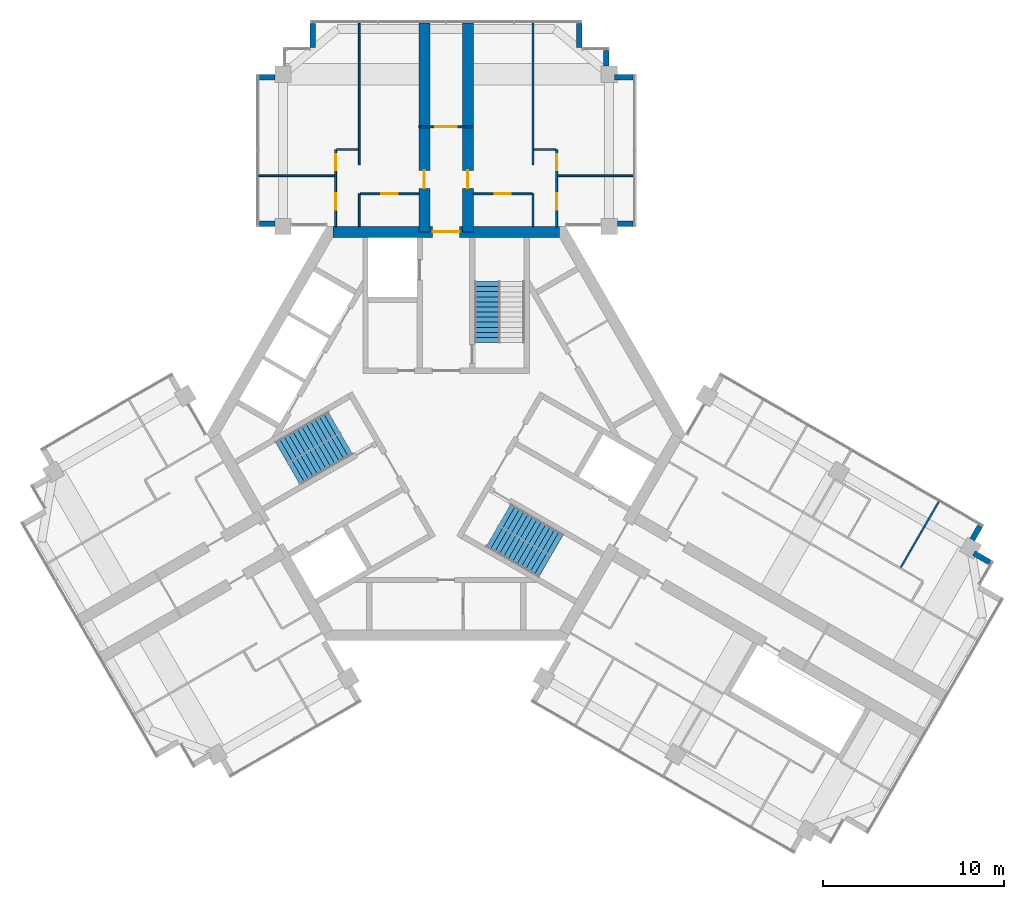
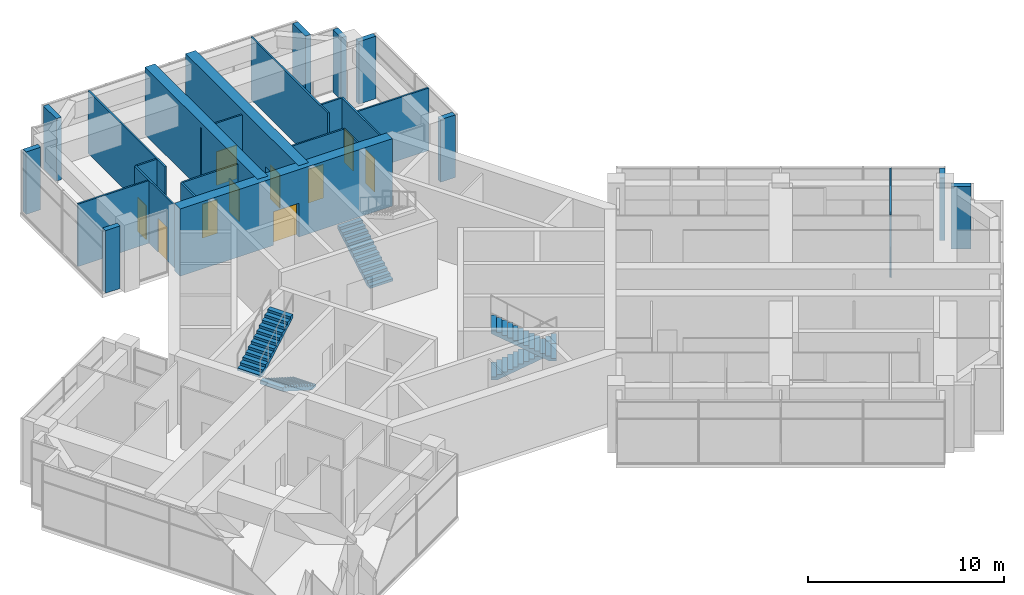
# One storey, part 12 of 14: 26 walls, 10 doors, 5 stair flights, 10 openings, 3 elements without a shape of their own.
"""IFC4 building model written with IfcOpenShell, lengths in metres."""

import ifcopenshell
import ifcopenshell.guid

model = None  # the IFC model being written
_history = None  # IfcOwnerHistory: only IFC2X3 demands one
_inside = {}  # id of a spatial element -> (the spatial element, [elements in it])
_under = {}  # id of a project, library or spatial element -> (it, [spatial elements below it])
_declared = {}  # id of a project -> (the project, [libraries it declares])
_typed = {}  # id of a type object -> (the type object, [elements of that type])
_made_of = {}  # id of a material, layer set ... -> (it, [elements and type objects made of it])


def new_model(schema):
    """Start an empty IFC model of exactly this schema.

    Asked for "IFC4X3", IfcOpenShell would pick the latest addendum, in which some entities
    have other attributes; the version numbers below select the first issue.
    IFC2X3 requires an IfcOwnerHistory on every rooted entity: one is made here for all.
    """
    global model, _history
    if schema == "IFC4X3":
        model = ifcopenshell.file(schema_version=(4, 3, 0, 0))
    else:
        model = ifcopenshell.file(schema=schema)
    _inside.clear()
    _under.clear()
    _declared.clear()
    _typed.clear()
    _made_of.clear()
    _history = None
    if model.schema == "IFC2X3":
        org = make("IfcOrganization", Name="unknown")
        user = make(
            "IfcPersonAndOrganization",
            ThePerson=make("IfcPerson", FamilyName="unknown"),
            TheOrganization=org,
        )
        app = make(
            "IfcApplication",
            ApplicationDeveloper=org,
            Version="unknown",
            ApplicationFullName="unknown",
            ApplicationIdentifier="unknown",
        )
        _history = make(
            "IfcOwnerHistory",
            OwningUser=user,
            OwningApplication=app,
            ChangeAction="ADDED",
            CreationDate=0,
        )
    return model


def make(cls, **values):
    """One entity of the class cls with the attributes given. An attribute that is None is left unset."""
    return model.create_entity(
        cls, **{name: value for name, value in values.items() if value is not None}
    )


def rooted(cls, **values):
    """An entity with a GlobalId (a new one), such as an element, a storey or a relation."""
    return make(cls, GlobalId=ifcopenshell.guid.new(), OwnerHistory=_history, **values)


def si_unit(unit_type, name, prefix=None):
    """IfcSIUnit, for example si_unit("LENGTHUNIT", "METRE", prefix="MILLI")."""
    return make("IfcSIUnit", UnitType=unit_type, Prefix=prefix, Name=name)


def assignment(units):
    """IfcUnitAssignment: the units of a project."""
    return None if units is None else make("IfcUnitAssignment", Units=units)


def point(xyz):
    """IfcCartesianPoint."""
    return None if xyz is None else make("IfcCartesianPoint", Coordinates=xyz)


def direction(xyz):
    """IfcDirection."""
    return None if xyz is None else make("IfcDirection", DirectionRatios=xyz)


def frame(location, z_axis=None, x_axis=None):
    """IfcAxis2Placement3D, a coordinate frame: its origin and axes. An axis left out is left unset."""
    return make(
        "IfcAxis2Placement3D",
        Location=point(location),
        Axis=direction(z_axis),
        RefDirection=direction(x_axis),
    )


def frame_2d(location, x_axis=None):
    """IfcAxis2Placement2D, a coordinate frame in the plane: its origin and x axis."""
    return make(
        "IfcAxis2Placement2D", Location=point(location), RefDirection=direction(x_axis)
    )


def origin():
    """The frame at (0, 0, 0) with its axes left unset."""
    return frame((0.0, 0.0, 0.0))


def place(relative_to, where):
    """IfcLocalPlacement: puts the frame where relative to a parent placement (None: the world)."""
    return make(
        "IfcLocalPlacement", PlacementRelTo=relative_to, RelativePlacement=where
    )


def context(
    kind, dimensions, precision=None, world=None, true_north=None, identifier=None
):
    """IfcGeometricRepresentationContext, for example the 3D "Model" context."""
    return make(
        "IfcGeometricRepresentationContext",
        ContextIdentifier=identifier,
        ContextType=kind,
        CoordinateSpaceDimension=dimensions,
        Precision=precision,
        WorldCoordinateSystem=world,
        TrueNorth=true_north,
    )


def subcontext(parent, identifier, kind, view, scale=None):
    """IfcGeometricRepresentationSubContext, for example "Body" below "Model"."""
    return make(
        "IfcGeometricRepresentationSubContext",
        ContextIdentifier=identifier,
        ContextType=kind,
        ParentContext=parent,
        TargetScale=scale,
        TargetView=view,
    )


def project(units=None, contexts=None):
    """IfcProject with its units and contexts."""
    return rooted(
        "IfcProject",
        Name="project",
        RepresentationContexts=contexts,
        UnitsInContext=assignment(units),
    )


def spatial(cls, under=None, at=None, **own):
    """A site, building, storey or space (cls), placed at a placement, below another one or the project."""
    s = rooted(cls, ObjectPlacement=at, **own)
    if under is not None:
        _under.setdefault(under.id(), (under, []))[1].append(s)
    return s


def polyline(points):
    """IfcPolyline through the points."""
    return make("IfcPolyline", Points=[point(p) for p in points])


def profile(cls, at=None, kind="AREA", **sizes):
    """A parametric profile (cls). Its sizes go by their IFC names, for example OverallWidth=200.0."""
    return make(cls, ProfileType=kind, Position=at, **sizes)


def rectangle(**sizes):
    """IfcRectangleProfileDef."""
    return profile("IfcRectangleProfileDef", **sizes)


def outline(outer, holes=None, kind="AREA"):
    """IfcArbitraryClosedProfileDef: a profile drawn as a closed curve; with holes, ...WithVoids."""
    if holes is None:
        return make("IfcArbitraryClosedProfileDef", ProfileType=kind, OuterCurve=outer)
    return make(
        "IfcArbitraryProfileDefWithVoids",
        ProfileType=kind,
        OuterCurve=outer,
        InnerCurves=holes,
    )


def extrude(swept, where, along, depth):
    """IfcExtrudedAreaSolid: the profile swept, set in the frame where, extruded along a direction by depth."""
    return make(
        "IfcExtrudedAreaSolid",
        SweptArea=swept,
        Position=where,
        ExtrudedDirection=direction(along),
        Depth=depth,
    )


def shape(context_of_items, identifier, shape_type, items):
    """IfcShapeRepresentation: the items that make up one representation, for example the "Body"."""
    return make(
        "IfcShapeRepresentation",
        ContextOfItems=context_of_items,
        RepresentationIdentifier=identifier,
        RepresentationType=shape_type,
        Items=items,
    )


def material(Name=None, Category=None):
    """IfcMaterial."""
    return make("IfcMaterial", Name=Name, Category=Category)


def layer(
    of_material, thickness, ventilated=None, Name=None, Category=None, Priority=None
):
    """IfcMaterialLayer: one layer of a wall or slab, of a material (None: an air gap)."""
    return make(
        "IfcMaterialLayer",
        Material=of_material,
        LayerThickness=thickness,
        IsVentilated=ventilated,
        Name=Name,
        Category=Category,
        Priority=Priority,
    )


def layer_set(layers, Name=None):
    """IfcMaterialLayerSet."""
    return make("IfcMaterialLayerSet", MaterialLayers=layers, LayerSetName=Name)


def made_of(thing, what):
    """Note that an element or type object is made of a material, layer set ...; save() writes the relation."""
    if what is not None:
        _made_of.setdefault(what.id(), (what, []))[1].append(thing)
    return thing


def type_object(cls, material=None, **own):
    """A type object (cls), such as IfcWallType, which elements share."""
    return made_of(rooted(cls, **own), material)


def element(
    cls,
    number,
    at=None,
    inside=None,
    cuts=None,
    type_object=None,
    material=None,
    context=None,
    identifier="Body",
    shape_type=None,
    held_by="IfcProductDefinitionShape",
    body=None,
    shapes=None,
    **own,
):
    """One element of the class cls, such as IfcWall. Its Tag is "e" and its number.

    at: its placement. inside: the storey or other place that contains it. cuts: it is an
    opening in that element (IfcRelVoidsElement). A single representation is given by context,
    identifier, shape_type and body (its items); several are given by shapes. held_by: the class
    of the entity that holds the representations. save() writes the other relations.
    """
    e = rooted(cls, Tag="e%d" % number, ObjectPlacement=at, **own)
    if body is not None:
        shapes = [shape(context, identifier, shape_type, body)]
    if shapes is not None:
        e.Representation = make(held_by, Representations=shapes)
    if inside is not None:
        _inside.setdefault(inside.id(), (inside, []))[1].append(e)
    if cuts is not None:
        rooted(
            "IfcRelVoidsElement", RelatingBuildingElement=cuts, RelatedOpeningElement=e
        )
    if type_object is not None:
        _typed.setdefault(type_object.id(), (type_object, []))[1].append(e)
    return made_of(e, material)


def fill(opening, filler):
    """IfcRelFillsElement: the door or window that sits in an opening."""
    return rooted(
        "IfcRelFillsElement",
        RelatingOpeningElement=opening,
        RelatedBuildingElement=filler,
    )


def aggregate(whole, parts):
    """IfcRelAggregates: a whole, such as a stair, and the parts it consists of."""
    return rooted("IfcRelAggregates", RelatingObject=whole, RelatedObjects=parts)


def save(model, path):
    """Write the relations noted so far, then the file.

    IfcRelAggregates (storeys below a building ...), IfcRelContainedInSpatialStructure (elements
    in a storey), IfcRelDefinesByType, IfcRelAssociatesMaterial and IfcRelDeclares: one each for
    every whole, place, type object, material and project.
    """
    for whole, parts in _under.values():
        aggregate(whole, parts)
    for where, things in _inside.values():
        rooted(
            "IfcRelContainedInSpatialStructure",
            RelatedElements=things,
            RelatingStructure=where,
        )
    for kind, things in _typed.values():
        rooted("IfcRelDefinesByType", RelatedObjects=things, RelatingType=kind)
    for what, things in _made_of.values():
        rooted("IfcRelAssociatesMaterial", RelatedObjects=things, RelatingMaterial=what)
    for by, libraries in _declared.values():
        rooted("IfcRelDeclares", RelatingContext=by, RelatedDefinitions=libraries)
    model.write(path)


model = new_model("IFC4")

# Units and contexts
model_context = context("Model", 3, precision=1e-05, world=origin(), true_north=direction((0.0, 1.0)))
body_context = subcontext(model_context, "Body", "Model", "MODEL_VIEW")
ifc_project = project(units=[si_unit("LENGTHUNIT", "METRE"), si_unit("AREAUNIT", "SQUARE_METRE"), si_unit("VOLUMEUNIT", "CUBIC_METRE"), si_unit("PLANEANGLEUNIT", "RADIAN"), si_unit("MASSUNIT", "GRAM", prefix="KILO")], contexts=[model_context])

# Site, building, storey
site_placement = place(None, origin())
site = spatial("IfcSite", under=ifc_project, at=site_placement, CompositionType="ELEMENT")
building_placement = place(site_placement, origin())
building = spatial("IfcBuilding", under=site, at=building_placement, Name="Impinga Residences", CompositionType="ELEMENT")
storey_placement = place(building_placement, frame((0.0, 0.0, 291.550048828125)))
storey = spatial("IfcBuildingStorey", under=building, at=storey_placement, Name="L73", CompositionType="ELEMENT", Elevation=291.550048828125)

# Wall, opening, door
ifc_material_1 = material(Name="Concrete C60/75", Category="concrete")
ifc_layer_1 = layer(ifc_material_1, 0.60009765625)
ifc_layer_set_1 = layer_set([ifc_layer_1], Name="Concrete C60/75")
wall_type_1 = type_object("IfcWallType", Name="BW3 corridor buttress wall, L46 to L73 600", PredefinedType="SHEAR", material=ifc_layer_set_1)
wall_1_placement = place(storey_placement, frame((-1.199951171875, 11.131591796875, 0.0), z_axis=(0.0, 0.0, 1.0), x_axis=(0.0, 1.0, 0.0)))
wall_1 = element("IfcWall", 1, at=wall_1_placement, inside=storey, type_object=wall_type_1, Name="Corridor wall BW3 NC L73", PredefinedType="SHEAR", context=body_context, shape_type="SweptSolid", body=[
    extrude(rectangle(XDim=11.537841796875, YDim=0.60009765625, at=frame_2d((5.76904296875, 0.0))), origin(), (0.0, 0.0, 1.0), 4.199951171875),
])
opening_1_placement = place(wall_1_placement, frame((2.39990234375, 0.0, 0.0)))
opening_1 = element("IfcOpeningElement", 2, at=opening_1_placement, cuts=wall_1, Name="Opening D1", PredefinedType="OPENING", context=body_context, shape_type="SweptSolid", body=[
    extrude(rectangle(XDim=1.0, YDim=2.10009765625, at=frame_2d((0.5, 1.050048828125))), frame((0.0, 0.31005859375, 0.0), z_axis=(0.0, -1.0, 0.0), x_axis=(1.0, 0.0, 0.0)), (0.0, 0.0, 1.0), 0.6201171875),
])
ifc_material_2 = material(Name="Timber door set", Category="wood")
door_type_1 = type_object("IfcDoorType", Name="D1 apartment entrance door 1000x2100", OperationType="SINGLE_SWING_LEFT", PredefinedType="DOOR", material=ifc_material_2)
door_1_placement = place(opening_1_placement, origin())
door_1 = element("IfcDoor", 3, at=door_1_placement, inside=storey, type_object=door_type_1, Name="Apartment L73-NA1 entrance", OperationType="SINGLE_SWING_LEFT", OverallHeight=2.10009765625, OverallWidth=1.0, PredefinedType="DOOR", context=body_context, shape_type="SweptSolid", body=[
    extrude(rectangle(XDim=1.0, YDim=2.10009765625, at=frame_2d((0.5, 1.050048828125))), frame((0.0, 0.02490234375, 0.0), z_axis=(0.0, -1.0, 0.0), x_axis=(1.0, 0.0, 0.0)), (0.0, 0.0, 1.0), 0.050048828125),
])
fill(opening_1, door_1)

wall_2_placement = place(storey_placement, frame((1.199951171875, 11.131591796875, 0.0), z_axis=(0.0, 0.0, 1.0), x_axis=(0.0, 1.0, 0.0)))
wall_2 = element("IfcWall", 4, at=wall_2_placement, inside=storey, type_object=wall_type_1, Name="Corridor wall BW3 ND L73", PredefinedType="SHEAR", context=body_context, shape_type="SweptSolid", body=[
    extrude(rectangle(XDim=11.537841796875, YDim=0.60009765625, at=frame_2d((5.76904296875, 0.0))), origin(), (0.0, 0.0, 1.0), 4.199951171875),
])
opening_2_placement = place(wall_2_placement, frame((2.39990234375, 0.0, 0.0)))
opening_2 = element("IfcOpeningElement", 5, at=opening_2_placement, cuts=wall_2, Name="Opening D1", PredefinedType="OPENING", context=body_context, shape_type="SweptSolid", body=[
    extrude(rectangle(XDim=1.0, YDim=2.10009765625, at=frame_2d((0.5, 1.050048828125))), frame((0.0, 0.31005859375, 0.0), z_axis=(0.0, -1.0, 0.0), x_axis=(1.0, 0.0, 0.0)), (0.0, 0.0, 1.0), 0.6201171875),
])
door_2_placement = place(opening_2_placement, origin())
door_2 = element("IfcDoor", 6, at=door_2_placement, inside=storey, type_object=door_type_1, Name="Apartment L73-NF1 entrance", OperationType="SINGLE_SWING_LEFT", OverallHeight=2.10009765625, OverallWidth=1.0, PredefinedType="DOOR", context=body_context, shape_type="SweptSolid", body=[
    extrude(rectangle(XDim=1.0, YDim=2.10009765625, at=frame_2d((0.5, 1.050048828125))), frame((0.0, 0.02490234375, 0.0), z_axis=(0.0, -1.0, 0.0), x_axis=(1.0, 0.0, 0.0)), (0.0, 0.0, 1.0), 0.050048828125),
])
fill(opening_2, door_2)

ifc_material_3 = material(Name="Concrete blockwork", Category="masonry")
ifc_layer_2 = layer(ifc_material_3, 0.10009765625)
ifc_layer_set_2 = layer_set([ifc_layer_2], Name="CP1 core room partition, blockwork 100")
wall_type_2 = type_object("IfcWallType", Name="CP1 core room partition, blockwork 100", PredefinedType="PARTITIONING", material=ifc_layer_set_2)
wall_3_placement = place(storey_placement, frame((-1.5, 16.931640625, 0.0), z_axis=(0.0, 0.0, 1.0), x_axis=(1.0, 0.0, 0.0)))
wall_3 = element("IfcWall", 7, at=wall_3_placement, inside=storey, type_object=wall_type_2, Name="Core room partition, blockwork L73:N:LNG", PredefinedType="PARTITIONING", context=body_context, shape_type="SweptSolid", body=[
    extrude(rectangle(XDim=3.0, YDim=0.10009765625, at=frame_2d((1.5, 0.0))), origin(), (0.0, 0.0, 1.0), 3.89990234375),
])
opening_3_placement = place(wall_3_placement, frame((0.89990234375, 0.0, 0.0)))
opening_3 = element("IfcOpeningElement", 8, at=opening_3_placement, cuts=wall_3, Name="Opening D3", PredefinedType="OPENING", context=body_context, shape_type="SweptSolid", body=[
    extrude(rectangle(XDim=1.199951171875, YDim=2.10009765625, at=frame_2d((0.60009765625, 1.050048828125))), frame((0.0, 0.06005859375, 0.0), z_axis=(0.0, -1.0, 0.0), x_axis=(1.0, 0.0, 0.0)), (0.0, 0.0, 1.0), 0.1201171875),
])
door_type_2 = type_object("IfcDoorType", Name="D3 room door, leaf and a half 1200x2100", OperationType="DOUBLE_SWING_LEFT", PredefinedType="DOOR", material=ifc_material_2)
door_3_placement = place(opening_3_placement, origin())
door_3 = element("IfcDoor", 9, at=door_3_placement, inside=storey, type_object=door_type_2, Name="Residents' lounge door N", OperationType="DOUBLE_SWING_LEFT", OverallHeight=2.10009765625, OverallWidth=1.199951171875, PredefinedType="DOOR", context=body_context, shape_type="SweptSolid", body=[
    extrude(rectangle(XDim=1.199951171875, YDim=2.10009765625, at=frame_2d((0.60009765625, 1.050048828125))), frame((0.0, 0.02490234375, 0.0), z_axis=(0.0, -1.0, 0.0), x_axis=(1.0, 0.0, 0.0)), (0.0, 0.0, 1.0), 0.050048828125),
])
fill(opening_3, door_3)

# Walls
ifc_material_4 = material(Name="Stone facing on blockwork", Category="masonry")
ifc_layer_3 = layer(ifc_material_4, 0.300048828125)
ifc_layer_set_3 = layer_set([ifc_layer_3], Name="EW2 external wall, stone facing on blockwork 300")
wall_type_3 = type_object("IfcWallType", Name="EW2 external wall, stone facing on blockwork 300", PredefinedType="SOLIDWALL", material=ifc_layer_set_3)
wall_4_placement = place(storey_placement, frame((29.476806640625, -5.107666015625, 0.0), z_axis=(0.0, 0.0, 1.0), x_axis=(-0.499885902046, -0.866091268248, 0.0)))
element("IfcWall", 10, at=wall_4_placement, inside=storey, type_object=wall_type_3, Name="External wall EW2 L73", PredefinedType="SOLIDWALL", context=body_context, shape_type="SweptSolid", body=[
    extrude(rectangle(XDim=0.862060546875, YDim=0.300048828125, at=frame_2d((0.43115234375, 0.0))), origin(), (0.0, 0.0, 1.0), 3.89990234375),
])
wall_5_placement = place(storey_placement, frame((29.134033203125, -6.6015625, 0.0), z_axis=(0.0, 0.0, 1.0), x_axis=(0.866073420066, -0.499916824138, 0.0)))
element("IfcWall", 11, at=wall_5_placement, inside=storey, type_object=wall_type_3, Name="External wall EW2 L73", PredefinedType="SOLIDWALL", context=body_context, shape_type="SweptSolid", body=[
    extrude(rectangle(XDim=1.014892578125, YDim=0.300048828125, at=frame_2d((0.50732421875, 0.0))), origin(), (0.0, 0.0, 1.0), 3.89990234375),
])
for number, where, z_axis, x_axis, name in (
    (12, (-9.452880859375, 11.58154296875, 0.0), (0.0, 0.0, 1.0), (-1.0, 0.0, 0.0), "External wall EW2 L73"),
    (13, (-10.31494140625, 19.681640625, 0.0), (0.0, 0.0, 1.0), (1.0, 0.0, 0.0), "External wall EW2 L73"),
):
    element("IfcWall", number, at=place(storey_placement, frame(where, z_axis=z_axis, x_axis=x_axis)), inside=storey, type_object=wall_type_3, Name=name, PredefinedType="SOLIDWALL", context=body_context, shape_type="SweptSolid", body=[
        extrude(rectangle(XDim=0.862060546875, YDim=0.300048828125, at=frame_2d((0.43115234375, 0.0))), origin(), (0.0, 0.0, 1.0), 3.89990234375),
    ])
for number, where, z_axis, x_axis, name in (
    (14, (-7.35009765625, 21.316650390625, 0.0), (0.0, 0.0, 1.0), (0.0, 1.0, 0.0), "External wall EW2 L73"),
    (15, (7.35009765625, 22.646484375, 0.0), (0.0, 0.0, 1.0), (0.0, -1.0, 0.0), "External wall EW2 L73"),
):
    element("IfcWall", number, at=place(storey_placement, frame(where, z_axis=z_axis, x_axis=x_axis)), inside=storey, type_object=wall_type_3, Name=name, PredefinedType="SOLIDWALL", context=body_context, shape_type="SweptSolid", body=[
        extrude(rectangle(XDim=1.329833984375, YDim=0.300048828125, at=frame_2d((0.6650390625, 0.0))), origin(), (0.0, 0.0, 1.0), 3.89990234375),
    ])
wall_6_placement = place(storey_placement, frame((8.85009765625, 21.146484375, 0.0), z_axis=(0.0, 0.0, 1.0), x_axis=(0.0, -1.0, 0.0)))
element("IfcWall", 16, at=wall_6_placement, inside=storey, type_object=wall_type_3, Name="External wall EW2 L73", PredefinedType="SOLIDWALL", context=body_context, shape_type="SweptSolid", body=[
    extrude(rectangle(XDim=0.862060546875, YDim=0.300048828125, at=frame_2d((0.43115234375, 0.0))), origin(), (0.0, 0.0, 1.0), 3.89990234375),
])
wall_7_placement = place(storey_placement, frame((9.300048828125, 19.681640625, 0.0), z_axis=(0.0, 0.0, 1.0), x_axis=(1.0, 0.0, 0.0)))
element("IfcWall", 17, at=wall_7_placement, inside=storey, type_object=wall_type_3, Name="External wall EW2 L73", PredefinedType="SOLIDWALL", context=body_context, shape_type="SweptSolid", body=[
    extrude(rectangle(XDim=1.014892578125, YDim=0.300048828125, at=frame_2d((0.50732421875, 0.0))), origin(), (0.0, 0.0, 1.0), 3.89990234375),
])
wall_8_placement = place(storey_placement, frame((10.31494140625, 11.58154296875, 0.0), z_axis=(0.0, 0.0, 1.0), x_axis=(-1.0, 0.0, 0.0)))
element("IfcWall", 18, at=wall_8_placement, inside=storey, type_object=wall_type_3, Name="External wall EW2 L73", PredefinedType="SOLIDWALL", context=body_context, shape_type="SweptSolid", body=[
    extrude(rectangle(XDim=0.862060546875, YDim=0.300048828125, at=frame_2d((0.43115234375, 0.0))), origin(), (0.0, 0.0, 1.0), 3.89990234375),
])
ifc_material_5 = material(Name="Gypsum board on steel studs", Category="steel")
ifc_layer_4 = layer(ifc_material_5, 0.10009765625)
ifc_layer_set_4 = layer_set([ifc_layer_4], Name="Gypsum board on steel studs")
wall_type_4 = type_object("IfcWallType", Name="IP1 partition 100", PredefinedType="PARTITIONING", material=ifc_layer_set_4)
wall_9_placement = place(storey_placement, frame((-4.800048828125, 11.431640625, 0.0), z_axis=(0.0, 0.0, 1.0), x_axis=(0.0, 1.0, 0.0)))
element("IfcWall", 19, at=wall_9_placement, inside=storey, type_object=wall_type_4, Name="Partition L73-NA1:DIV0", PredefinedType="PARTITIONING", context=body_context, shape_type="SweptSolid", body=[
    extrude(rectangle(XDim=1.7998046875, YDim=0.10009765625, at=frame_2d((0.89990234375, 0.0))), origin(), (0.0, 0.0, 1.0), 3.89990234375),
])
wall_10_placement = place(storey_placement, frame((-4.800048828125, 14.83154296875, 0.0), z_axis=(0.0, 0.0, 1.0), x_axis=(0.0, 1.0, 0.0)))
element("IfcWall", 20, at=wall_10_placement, inside=storey, type_object=wall_type_4, Name="Partition L73-NA1:DIV1", PredefinedType="PARTITIONING", context=body_context, shape_type="SweptSolid", body=[
    extrude(rectangle(XDim=7.8369140625, YDim=0.10009765625, at=frame_2d((3.91845703125, 0.0))), origin(), (0.0, 0.0, 1.0), 3.89990234375),
])

# Wall, openings, doors
wall_11_placement = place(storey_placement, frame((-6.10009765625, 11.431640625, 0.0), z_axis=(0.0, 0.0, 1.0), x_axis=(0.0, 1.0, 0.0)))
wall_11 = element("IfcWall", 21, at=wall_11_placement, inside=storey, type_object=wall_type_4, Name="Partition L73-NA1:STRIP", PredefinedType="PARTITIONING", context=body_context, shape_type="SweptSolid", body=[
    extrude(rectangle(XDim=4.25, YDim=0.10009765625, at=frame_2d((2.125, 0.0))), origin(), (0.0, 0.0, 1.0), 3.89990234375),
])
opening_4_placement = place(wall_11_placement, frame((0.925048828125, 0.0, 0.0)))
opening_4 = element("IfcOpeningElement", 22, at=opening_4_placement, cuts=wall_11, Name="Opening D2", PredefinedType="OPENING", context=body_context, shape_type="SweptSolid", body=[
    extrude(rectangle(XDim=0.89990234375, YDim=2.10009765625, at=frame_2d((0.449951171875, 1.050048828125))), frame((0.0, 0.06005859375, 0.0), z_axis=(0.0, -1.0, 0.0), x_axis=(1.0, 0.0, 0.0)), (0.0, 0.0, 1.0), 0.1201171875),
])
opening_5_placement = place(wall_11_placement, frame((3.10009765625, 0.0, 0.0)))
opening_5 = element("IfcOpeningElement", 23, at=opening_5_placement, cuts=wall_11, Name="Opening D2", PredefinedType="OPENING", context=body_context, shape_type="SweptSolid", body=[
    extrude(rectangle(XDim=0.89990234375, YDim=2.10009765625, at=frame_2d((0.449951171875, 1.050048828125))), frame((0.0, 0.06005859375, 0.0), z_axis=(0.0, -1.0, 0.0), x_axis=(1.0, 0.0, 0.0)), (0.0, 0.0, 1.0), 0.1201171875),
])
door_type_3 = type_object("IfcDoorType", Name="D2 internal door 900x2100", OperationType="SINGLE_SWING_LEFT", PredefinedType="DOOR", material=ifc_material_2)
door_4_placement = place(opening_4_placement, origin())
door_4 = element("IfcDoor", 24, at=door_4_placement, inside=storey, type_object=door_type_3, Name="Apartment L73-NA1 room door", OperationType="SINGLE_SWING_LEFT", OverallHeight=2.10009765625, OverallWidth=0.89990234375, PredefinedType="DOOR", context=body_context, shape_type="SweptSolid", body=[
    extrude(rectangle(XDim=0.89990234375, YDim=2.10009765625, at=frame_2d((0.449951171875, 1.050048828125))), frame((0.0, 0.02490234375, 0.0), z_axis=(0.0, -1.0, 0.0), x_axis=(1.0, 0.0, 0.0)), (0.0, 0.0, 1.0), 0.050048828125),
])
fill(opening_4, door_4)
door_5_placement = place(opening_5_placement, origin())
door_5 = element("IfcDoor", 25, at=door_5_placement, inside=storey, type_object=door_type_3, Name="Apartment L73-NA1 room door", OperationType="SINGLE_SWING_RIGHT", OverallHeight=2.10009765625, OverallWidth=0.89990234375, PredefinedType="DOOR", context=body_context, shape_type="SweptSolid", body=[
    extrude(rectangle(XDim=0.89990234375, YDim=2.10009765625, at=frame_2d((0.449951171875, 1.050048828125))), frame((0.0, 0.02490234375, 0.0), z_axis=(0.0, -1.0, 0.0), x_axis=(1.0, 0.0, 0.0)), (0.0, 0.0, 1.0), 0.050048828125),
])
fill(opening_5, door_5)

# Wall
wall_12_placement = place(storey_placement, frame((-4.85009765625, 15.681640625, 0.0), z_axis=(0.0, 0.0, 1.0), x_axis=(-1.0, 0.0, 0.0)))
element("IfcWall", 26, at=wall_12_placement, inside=storey, type_object=wall_type_4, Name="Partition L73-NA1:SE1", PredefinedType="PARTITIONING", context=body_context, shape_type="SweptSolid", body=[
    extrude(rectangle(XDim=1.199951171875, YDim=0.10009765625, at=frame_2d((0.60009765625, 0.0))), origin(), (0.0, 0.0, 1.0), 3.89990234375),
])

# Wall, opening, door
wall_13_placement = place(storey_placement, frame((-1.5, 13.2314453125, 0.0), z_axis=(0.0, 0.0, 1.0), x_axis=(-1.0, 0.0, 0.0)))
wall_13 = element("IfcWall", 27, at=wall_13_placement, inside=storey, type_object=wall_type_4, Name="Partition L73-NA1:IB1", PredefinedType="PARTITIONING", context=body_context, shape_type="SweptSolid", body=[
    extrude(rectangle(XDim=3.25, YDim=0.10009765625, at=frame_2d((1.625, 0.0))), origin(), (0.0, 0.0, 1.0), 3.89990234375),
])
opening_6_placement = place(wall_13_placement, frame((1.175048828125, 0.0, 0.0)))
opening_6 = element("IfcOpeningElement", 28, at=opening_6_placement, cuts=wall_13, Name="Opening D2", PredefinedType="OPENING", context=body_context, shape_type="SweptSolid", body=[
    extrude(rectangle(XDim=0.89990234375, YDim=2.10009765625, at=frame_2d((0.449951171875, 1.050048828125))), frame((0.0, 0.06005859375, 0.0), z_axis=(0.0, -1.0, 0.0), x_axis=(1.0, 0.0, 0.0)), (0.0, 0.0, 1.0), 0.1201171875),
])
door_6_placement = place(opening_6_placement, origin())
door_6 = element("IfcDoor", 29, at=door_6_placement, inside=storey, type_object=door_type_3, Name="Apartment L73-NA1 bathroom door", OperationType="SINGLE_SWING_LEFT", OverallHeight=2.10009765625, OverallWidth=0.89990234375, PredefinedType="DOOR", context=body_context, shape_type="SweptSolid", body=[
    extrude(rectangle(XDim=0.89990234375, YDim=2.10009765625, at=frame_2d((0.449951171875, 1.050048828125))), frame((0.0, 0.02490234375, 0.0), z_axis=(0.0, -1.0, 0.0), x_axis=(1.0, 0.0, 0.0)), (0.0, 0.0, 1.0), 0.050048828125),
])
fill(opening_6, door_6)

# Walls
wall_14_placement = place(storey_placement, frame((-6.14990234375, 14.2314453125, 0.0), z_axis=(0.0, 0.0, 1.0), x_axis=(-1.0, 0.0, 0.0)))
element("IfcWall", 30, at=wall_14_placement, inside=storey, type_object=wall_type_4, Name="Partition L73-NA1:OB1", PredefinedType="PARTITIONING", context=body_context, shape_type="SweptSolid", body=[
    extrude(rectangle(XDim=4.18701171875, YDim=0.10009765625, at=frame_2d((2.093505859375, 0.0))), origin(), (0.0, 0.0, 1.0), 3.89990234375),
])
wall_15_placement = place(storey_placement, frame((4.800048828125, 11.431640625, 0.0), z_axis=(0.0, 0.0, 1.0), x_axis=(0.0, 1.0, 0.0)))
element("IfcWall", 31, at=wall_15_placement, inside=storey, type_object=wall_type_4, Name="Partition L73-NF1:DIV0", PredefinedType="PARTITIONING", context=body_context, shape_type="SweptSolid", body=[
    extrude(rectangle(XDim=1.7998046875, YDim=0.10009765625, at=frame_2d((0.89990234375, 0.0))), origin(), (0.0, 0.0, 1.0), 3.89990234375),
])
wall_16_placement = place(storey_placement, frame((4.800048828125, 14.83154296875, 0.0), z_axis=(0.0, 0.0, 1.0), x_axis=(0.0, 1.0, 0.0)))
element("IfcWall", 32, at=wall_16_placement, inside=storey, type_object=wall_type_4, Name="Partition L73-NF1:DIV1", PredefinedType="PARTITIONING", context=body_context, shape_type="SweptSolid", body=[
    extrude(rectangle(XDim=7.8369140625, YDim=0.10009765625, at=frame_2d((3.91845703125, 0.0))), origin(), (0.0, 0.0, 1.0), 3.89990234375),
])

# Wall, openings, doors
wall_17_placement = place(storey_placement, frame((6.10009765625, 11.431640625, 0.0), z_axis=(0.0, 0.0, 1.0), x_axis=(0.0, 1.0, 0.0)))
wall_17 = element("IfcWall", 33, at=wall_17_placement, inside=storey, type_object=wall_type_4, Name="Partition L73-NF1:STRIP", PredefinedType="PARTITIONING", context=body_context, shape_type="SweptSolid", body=[
    extrude(rectangle(XDim=4.25, YDim=0.10009765625, at=frame_2d((2.125, 0.0))), origin(), (0.0, 0.0, 1.0), 3.89990234375),
])
opening_7_placement = place(wall_17_placement, frame((0.925048828125, 0.0, 0.0)))
opening_7 = element("IfcOpeningElement", 34, at=opening_7_placement, cuts=wall_17, Name="Opening D2", PredefinedType="OPENING", context=body_context, shape_type="SweptSolid", body=[
    extrude(rectangle(XDim=0.89990234375, YDim=2.10009765625, at=frame_2d((0.449951171875, 1.050048828125))), frame((0.0, 0.06005859375, 0.0), z_axis=(0.0, -1.0, 0.0), x_axis=(1.0, 0.0, 0.0)), (0.0, 0.0, 1.0), 0.1201171875),
])
opening_8_placement = place(wall_17_placement, frame((3.10009765625, 0.0, 0.0)))
opening_8 = element("IfcOpeningElement", 35, at=opening_8_placement, cuts=wall_17, Name="Opening D2", PredefinedType="OPENING", context=body_context, shape_type="SweptSolid", body=[
    extrude(rectangle(XDim=0.89990234375, YDim=2.10009765625, at=frame_2d((0.449951171875, 1.050048828125))), frame((0.0, 0.06005859375, 0.0), z_axis=(0.0, -1.0, 0.0), x_axis=(1.0, 0.0, 0.0)), (0.0, 0.0, 1.0), 0.1201171875),
])
door_7_placement = place(opening_7_placement, origin())
door_7 = element("IfcDoor", 36, at=door_7_placement, inside=storey, type_object=door_type_3, Name="Apartment L73-NF1 room door", OperationType="SINGLE_SWING_LEFT", OverallHeight=2.10009765625, OverallWidth=0.89990234375, PredefinedType="DOOR", context=body_context, shape_type="SweptSolid", body=[
    extrude(rectangle(XDim=0.89990234375, YDim=2.10009765625, at=frame_2d((0.449951171875, 1.050048828125))), frame((0.0, 0.02490234375, 0.0), z_axis=(0.0, -1.0, 0.0), x_axis=(1.0, 0.0, 0.0)), (0.0, 0.0, 1.0), 0.050048828125),
])
fill(opening_7, door_7)
door_8_placement = place(opening_8_placement, origin())
door_8 = element("IfcDoor", 37, at=door_8_placement, inside=storey, type_object=door_type_3, Name="Apartment L73-NF1 room door", OperationType="SINGLE_SWING_RIGHT", OverallHeight=2.10009765625, OverallWidth=0.89990234375, PredefinedType="DOOR", context=body_context, shape_type="SweptSolid", body=[
    extrude(rectangle(XDim=0.89990234375, YDim=2.10009765625, at=frame_2d((0.449951171875, 1.050048828125))), frame((0.0, 0.02490234375, 0.0), z_axis=(0.0, -1.0, 0.0), x_axis=(1.0, 0.0, 0.0)), (0.0, 0.0, 1.0), 0.050048828125),
])
fill(opening_8, door_8)

# Wall
wall_18_placement = place(storey_placement, frame((4.85009765625, 15.681640625, 0.0), z_axis=(0.0, 0.0, 1.0), x_axis=(1.0, 0.0, 0.0)))
element("IfcWall", 38, at=wall_18_placement, inside=storey, type_object=wall_type_4, Name="Partition L73-NF1:SE1", PredefinedType="PARTITIONING", context=body_context, shape_type="SweptSolid", body=[
    extrude(rectangle(XDim=1.199951171875, YDim=0.10009765625, at=frame_2d((0.60009765625, 0.0))), origin(), (0.0, 0.0, 1.0), 3.89990234375),
])

# Wall, opening, door
wall_19_placement = place(storey_placement, frame((1.5, 13.2314453125, 0.0), z_axis=(0.0, 0.0, 1.0), x_axis=(1.0, 0.0, 0.0)))
wall_19 = element("IfcWall", 39, at=wall_19_placement, inside=storey, type_object=wall_type_4, Name="Partition L73-NF1:IB1", PredefinedType="PARTITIONING", context=body_context, shape_type="SweptSolid", body=[
    extrude(rectangle(XDim=3.25, YDim=0.10009765625, at=frame_2d((1.625, 0.0))), origin(), (0.0, 0.0, 1.0), 3.89990234375),
])
opening_9_placement = place(wall_19_placement, frame((1.175048828125, 0.0, 0.0)))
opening_9 = element("IfcOpeningElement", 40, at=opening_9_placement, cuts=wall_19, Name="Opening D2", PredefinedType="OPENING", context=body_context, shape_type="SweptSolid", body=[
    extrude(rectangle(XDim=0.89990234375, YDim=2.10009765625, at=frame_2d((0.449951171875, 1.050048828125))), frame((0.0, 0.06005859375, 0.0), z_axis=(0.0, -1.0, 0.0), x_axis=(1.0, 0.0, 0.0)), (0.0, 0.0, 1.0), 0.1201171875),
])
door_9_placement = place(opening_9_placement, origin())
door_9 = element("IfcDoor", 41, at=door_9_placement, inside=storey, type_object=door_type_3, Name="Apartment L73-NF1 bathroom door", OperationType="SINGLE_SWING_LEFT", OverallHeight=2.10009765625, OverallWidth=0.89990234375, PredefinedType="DOOR", context=body_context, shape_type="SweptSolid", body=[
    extrude(rectangle(XDim=0.89990234375, YDim=2.10009765625, at=frame_2d((0.449951171875, 1.050048828125))), frame((0.0, 0.02490234375, 0.0), z_axis=(0.0, -1.0, 0.0), x_axis=(1.0, 0.0, 0.0)), (0.0, 0.0, 1.0), 0.050048828125),
])
fill(opening_9, door_9)

# Walls
for number, where, z_axis, x_axis, name in (
    (42, (6.14990234375, 14.2314453125, 0.0), (0.0, 0.0, 1.0), (1.0, 0.0, 0.0), "Partition L73-NF1:OB1"),
    (43, (25.099365234375, -7.3896484375, 0.0), (0.0, 0.0, 1.0), (0.500008475426, 0.86602051044, 0.0), "Partition L73-EA1:OB4"),
):
    element("IfcWall", number, at=place(storey_placement, frame(where, z_axis=z_axis, x_axis=x_axis)), inside=storey, type_object=wall_type_4, Name=name, PredefinedType="PARTITIONING", context=body_context, shape_type="SweptSolid", body=[
        extrude(rectangle(XDim=4.18701171875, YDim=0.10009765625, at=frame_2d((2.093505859375, 0.0))), origin(), (0.0, 0.0, 1.0), 3.89990234375),
    ])

# Wall, opening, door
ifc_layer_5 = layer(ifc_material_1, 0.60009765625)
ifc_layer_set_5 = layer_set([ifc_layer_5], Name="Concrete C60/75")
wall_type_5 = type_object("IfcWallType", Name="SW4 core wall, crown 600", PredefinedType="SHEAR", material=ifc_layer_set_5)
wall_20_placement = place(storey_placement, frame((-6.253662109375, 11.131591796875, 0.0), z_axis=(0.0, 0.0, 1.0), x_axis=(1.0, 0.0, 0.0)))
wall_20 = element("IfcWall", 44, at=wall_20_placement, inside=storey, type_object=wall_type_5, Name="Core wall SW4 N:FACE L73", PredefinedType="SHEAR", context=body_context, shape_type="SweptSolid", body=[
    extrude(rectangle(XDim=12.50732421875, YDim=0.60009765625, at=frame_2d((6.253662109375, 0.0))), origin(), (0.0, 0.0, 1.0), 4.199951171875),
])
opening_10_placement = place(wall_20_placement, frame((5.503662109375, 0.0, 0.0)))
opening_10 = element("IfcOpeningElement", 45, at=opening_10_placement, cuts=wall_20, Name="Opening D4", PredefinedType="OPENING", context=body_context, shape_type="SweptSolid", body=[
    extrude(rectangle(XDim=1.5, YDim=2.10009765625, at=frame_2d((0.75, 1.050048828125))), frame((0.0, 0.31005859375, 0.0), z_axis=(0.0, -1.0, 0.0), x_axis=(1.0, 0.0, 0.0)), (0.0, 0.0, 1.0), 0.6201171875),
])
door_type_4 = type_object("IfcDoorType", Name="D4 lobby door pair 1500x2100", OperationType="DOUBLE_DOOR_DOUBLE_SWING", PredefinedType="DOOR", material=ifc_material_2)
door_10_placement = place(opening_10_placement, origin())
door_10 = element("IfcDoor", 46, at=door_10_placement, inside=storey, type_object=door_type_4, Name="Lobby door N", OperationType="DOUBLE_DOOR_DOUBLE_SWING", OverallHeight=2.10009765625, OverallWidth=1.5, PredefinedType="DOOR", context=body_context, shape_type="SweptSolid", body=[
    extrude(rectangle(XDim=1.5, YDim=2.10009765625, at=frame_2d((0.75, 1.050048828125))), frame((0.0, 0.02490234375, 0.0), z_axis=(0.0, -1.0, 0.0), x_axis=(1.0, 0.0, 0.0)), (0.0, 0.0, 1.0), 0.050048828125),
])
fill(opening_10, door_10)

# Stair, stair flight
ifc_material_6 = material(Name="Concrete C40/50", Category="concrete")
stair_type = type_object("IfcStairType", Name="STR core stair 4200 storey, 26 risers", PredefinedType="HALF_TURN_STAIR", material=ifc_material_6)
stair_1_placement = place(storey_placement, origin())
stair_1 = element("IfcStair", 47, at=stair_1_placement, inside=storey, type_object=stair_type, Name="Stair ST1 L73", PredefinedType="HALF_TURN_STAIR")
stair_flight_type = type_object("IfcStairFlightType", Name="SF 13 risers of 162", PredefinedType="STRAIGHT", material=ifc_material_6)
stair_flight_1_placement = place(storey_placement, frame((2.27490234375, 5.030029296875, 0.0), z_axis=(0.0, 0.0, 1.0), x_axis=(0.0, 1.0, 0.0)))
stair_flight_1 = element("IfcStairFlight", 48, at=stair_flight_1_placement, type_object=stair_flight_type, Name="ST1 flight 1", NumberOfRisers=13, NumberOfTreads=12, PredefinedType="STRAIGHT", RiserHeight=0.161538462, TreadLength=0.28, context=body_context, shape_type="SweptSolid", body=[
    extrude(outline(polyline([(0.0, 0.0), (0.0, 0.16162109375), (0.280029296875, 0.16162109375), (0.280029296875, 0.322998046875), (0.56005859375, 0.322998046875), (0.56005859375, 0.484619140625), (0.840087890625, 0.484619140625), (0.840087890625, 0.646240234375), (1.1201171875, 0.646240234375), (1.1201171875, 0.8076171875), (1.39990234375, 0.8076171875), (1.39990234375, 0.96923828125), (1.679931640625, 0.96923828125), (1.679931640625, 1.130859375), (1.9599609375, 1.130859375), (1.9599609375, 1.292236328125), (2.239990234375, 1.292236328125), (2.239990234375, 1.453857421875), (2.52001953125, 1.453857421875), (2.52001953125, 1.615478515625), (2.800048828125, 1.615478515625), (2.800048828125, 1.77685546875), (3.080078125, 1.77685546875), (3.080078125, 1.9384765625), (3.360107421875, 1.9384765625), (3.360107421875, 2.10009765625), (3.360107421875, 1.730712890625), (0.360107421875, 0.0), (0.0, 0.0)])), frame((0.0, 0.675048828125, 0.0), z_axis=(0.0, -1.0, 0.0), x_axis=(1.0, 0.0, 0.0)), (0.0, 0.0, 1.0), 1.35009765625),
])
aggregate(stair_1, [stair_flight_1])

# Stair, stair flights
stair_2_placement = place(storey_placement, origin())
stair_2 = element("IfcStair", 49, at=stair_2_placement, inside=storey, type_object=stair_type, Name="Stair ST2 L73", PredefinedType="HALF_TURN_STAIR")
stair_flight_2_placement = place(storey_placement, frame((-5.49365234375, -0.544677734375, 0.0), z_axis=(0.0, 0.0, 1.0), x_axis=(-0.866025403784, -0.5, 0.0)))
stair_flight_2 = element("IfcStairFlight", 50, at=stair_flight_2_placement, type_object=stair_flight_type, Name="ST2 flight 1", NumberOfRisers=13, NumberOfTreads=12, PredefinedType="STRAIGHT", RiserHeight=0.161538462, TreadLength=0.28, context=body_context, shape_type="SweptSolid", body=[
    extrude(outline(polyline([(0.0, 0.0), (0.0, 0.16162109375), (0.280029296875, 0.16162109375), (0.280029296875, 0.322998046875), (0.56005859375, 0.322998046875), (0.56005859375, 0.484619140625), (0.840087890625, 0.484619140625), (0.840087890625, 0.646240234375), (1.1201171875, 0.646240234375), (1.1201171875, 0.8076171875), (1.39990234375, 0.8076171875), (1.39990234375, 0.96923828125), (1.679931640625, 0.96923828125), (1.679931640625, 1.130859375), (1.9599609375, 1.130859375), (1.9599609375, 1.292236328125), (2.239990234375, 1.292236328125), (2.239990234375, 1.453857421875), (2.52001953125, 1.453857421875), (2.52001953125, 1.615478515625), (2.800048828125, 1.615478515625), (2.800048828125, 1.77685546875), (3.080078125, 1.77685546875), (3.080078125, 1.9384765625), (3.360107421875, 1.9384765625), (3.360107421875, 2.10009765625), (3.360107421875, 1.730712890625), (0.360107421875, 0.0), (0.0, 0.0)])), frame((0.0, 0.675048828125, 0.0), z_axis=(0.0, -1.0, 0.0), x_axis=(1.0, 0.0, 0.0)), (0.0, 0.0, 1.0), 1.35009765625),
])
stair_flight_3_placement = place(storey_placement, frame((-9.078369140625, -1.0556640625, 2.099853515625), z_axis=(0.0, 0.0, 1.0), x_axis=(0.866025403784, 0.5, 0.0)))
stair_flight_3 = element("IfcStairFlight", 51, at=stair_flight_3_placement, type_object=stair_flight_type, Name="ST2 flight 2", NumberOfRisers=13, NumberOfTreads=12, PredefinedType="STRAIGHT", RiserHeight=0.161538462, TreadLength=0.28, context=body_context, shape_type="SweptSolid", body=[
    extrude(outline(polyline([(0.0, 0.0), (0.0, 0.16162109375), (0.280029296875, 0.16162109375), (0.280029296875, 0.322998046875), (0.56005859375, 0.322998046875), (0.56005859375, 0.484619140625), (0.840087890625, 0.484619140625), (0.840087890625, 0.646240234375), (1.1201171875, 0.646240234375), (1.1201171875, 0.8076171875), (1.39990234375, 0.8076171875), (1.39990234375, 0.96923828125), (1.679931640625, 0.96923828125), (1.679931640625, 1.130859375), (1.9599609375, 1.130859375), (1.9599609375, 1.292236328125), (2.239990234375, 1.292236328125), (2.239990234375, 1.453857421875), (2.52001953125, 1.453857421875), (2.52001953125, 1.615478515625), (2.800048828125, 1.615478515625), (2.800048828125, 1.77685546875), (3.080078125, 1.77685546875), (3.080078125, 1.9384765625), (3.360107421875, 1.9384765625), (3.360107421875, 2.10009765625), (3.360107421875, 1.730712890625), (0.360107421875, 0.0), (0.0, 0.0)])), frame((0.0, 0.675048828125, 0.0), z_axis=(0.0, -1.0, 0.0), x_axis=(1.0, 0.0, 0.0)), (0.0, 0.0, 1.0), 1.35009765625),
])
aggregate(stair_2, [stair_flight_2, stair_flight_3])

stair_3_placement = place(storey_placement, origin())
stair_3 = element("IfcStair", 52, at=stair_3_placement, inside=storey, type_object=stair_type, Name="Stair ST3 L73", PredefinedType="HALF_TURN_STAIR")
stair_flight_4_placement = place(storey_placement, frame((3.218505859375, -4.485107421875, 0.0), z_axis=(0.0, 0.0, 1.0), x_axis=(0.866025403784, -0.5, 0.0)))
stair_flight_4 = element("IfcStairFlight", 53, at=stair_flight_4_placement, type_object=stair_flight_type, Name="ST3 flight 1", NumberOfRisers=13, NumberOfTreads=12, PredefinedType="STRAIGHT", RiserHeight=0.161538462, TreadLength=0.28, context=body_context, shape_type="SweptSolid", body=[
    extrude(outline(polyline([(0.0, 0.0), (0.0, 0.16162109375), (0.280029296875, 0.16162109375), (0.280029296875, 0.322998046875), (0.56005859375, 0.322998046875), (0.56005859375, 0.484619140625), (0.840087890625, 0.484619140625), (0.840087890625, 0.646240234375), (1.1201171875, 0.646240234375), (1.1201171875, 0.8076171875), (1.39990234375, 0.8076171875), (1.39990234375, 0.96923828125), (1.679931640625, 0.96923828125), (1.679931640625, 1.130859375), (1.9599609375, 1.130859375), (1.9599609375, 1.292236328125), (2.239990234375, 1.292236328125), (2.239990234375, 1.453857421875), (2.52001953125, 1.453857421875), (2.52001953125, 1.615478515625), (2.800048828125, 1.615478515625), (2.800048828125, 1.77685546875), (3.080078125, 1.77685546875), (3.080078125, 1.9384765625), (3.360107421875, 1.9384765625), (3.360107421875, 2.10009765625), (3.360107421875, 1.730712890625), (0.360107421875, 0.0), (0.0, 0.0)])), frame((0.0, 0.675048828125, 0.0), z_axis=(0.0, -1.0, 0.0), x_axis=(1.0, 0.0, 0.0)), (0.0, 0.0, 1.0), 1.35009765625),
])
stair_flight_5_placement = place(storey_placement, frame((5.453369140625, -7.334228515625, 2.099853515625), z_axis=(0.0, 0.0, 1.0), x_axis=(-0.866025403784, 0.5, 0.0)))
stair_flight_5 = element("IfcStairFlight", 54, at=stair_flight_5_placement, type_object=stair_flight_type, Name="ST3 flight 2", NumberOfRisers=13, NumberOfTreads=12, PredefinedType="STRAIGHT", RiserHeight=0.161538462, TreadLength=0.28, context=body_context, shape_type="SweptSolid", body=[
    extrude(outline(polyline([(0.0, 0.0), (0.0, 0.16162109375), (0.280029296875, 0.16162109375), (0.280029296875, 0.322998046875), (0.56005859375, 0.322998046875), (0.56005859375, 0.484619140625), (0.840087890625, 0.484619140625), (0.840087890625, 0.646240234375), (1.1201171875, 0.646240234375), (1.1201171875, 0.8076171875), (1.39990234375, 0.8076171875), (1.39990234375, 0.96923828125), (1.679931640625, 0.96923828125), (1.679931640625, 1.130859375), (1.9599609375, 1.130859375), (1.9599609375, 1.292236328125), (2.239990234375, 1.292236328125), (2.239990234375, 1.453857421875), (2.52001953125, 1.453857421875), (2.52001953125, 1.615478515625), (2.800048828125, 1.615478515625), (2.800048828125, 1.77685546875), (3.080078125, 1.77685546875), (3.080078125, 1.9384765625), (3.360107421875, 1.9384765625), (3.360107421875, 2.10009765625), (3.360107421875, 1.730712890625), (0.360107421875, 0.0), (0.0, 0.0)])), frame((0.0, 0.675048828125, 0.0), z_axis=(0.0, -1.0, 0.0), x_axis=(1.0, 0.0, 0.0)), (0.0, 0.0, 1.0), 1.35009765625),
])
aggregate(stair_3, [stair_flight_4, stair_flight_5])

save(model, "model.ifc")
